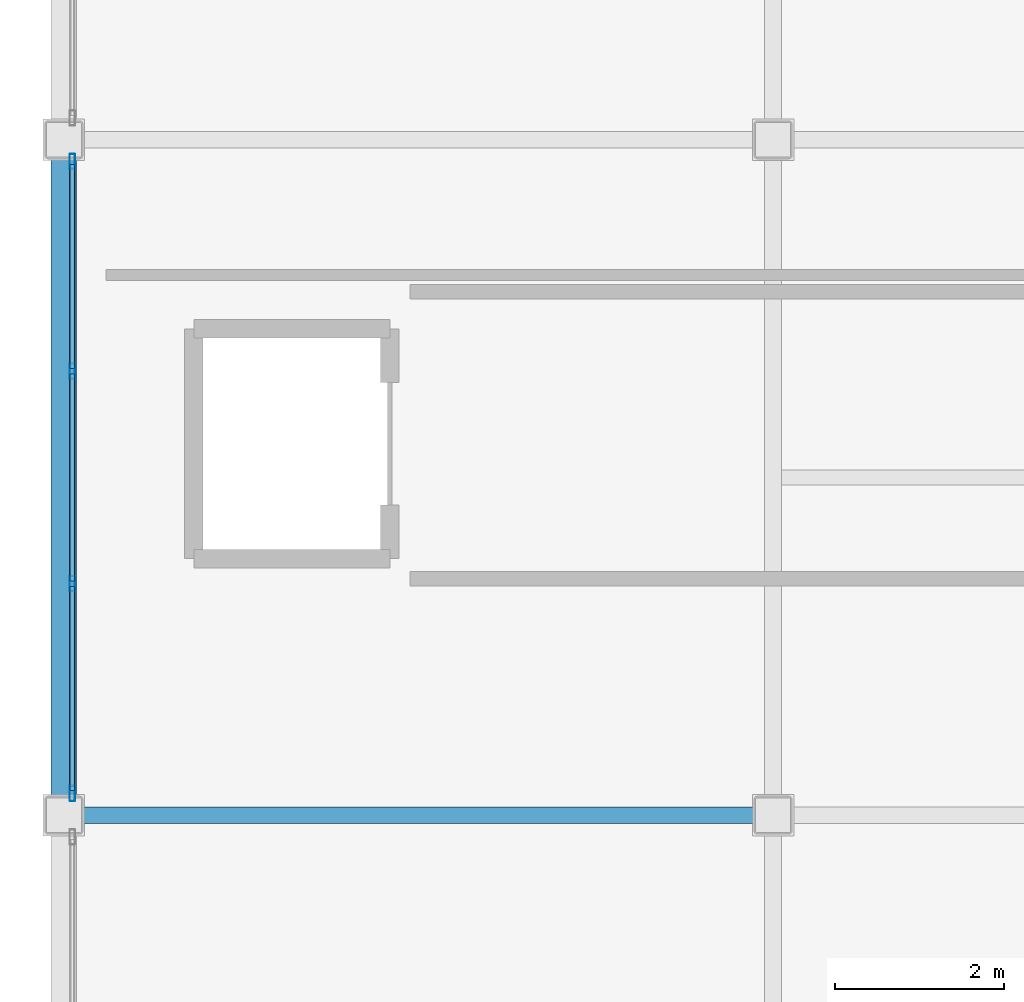
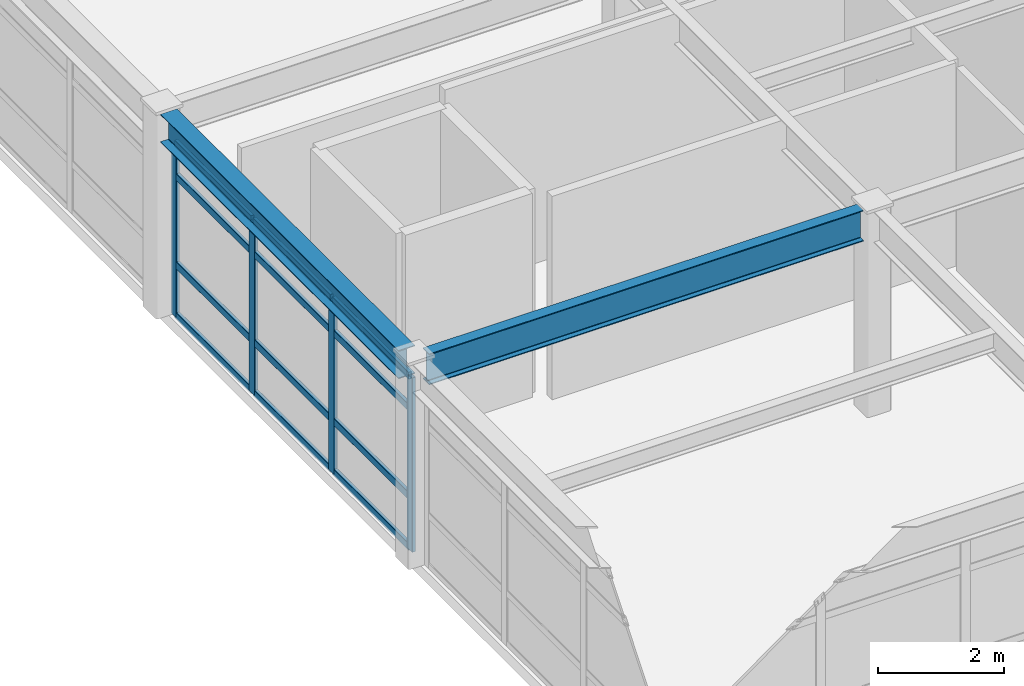
# One storey, part 5 of 34: 16 members, 2 beams, 1 element without a shape of its own.
"""IFC4 building model written with IfcOpenShell, lengths in metres."""

from ifc_helpers import new_model, si_unit, direction, frame, origin, origin_2d, place, context, subcontext, project, spatial, hollow_rectangle, i_section, extrude, material, layer, layer_set, material_profile, profile_set, type_object, element, aggregate, save


model = new_model("IFC4")

# Units and contexts
model_context = context("Model", 3, precision=1e-05, world=origin(), true_north=direction((0.0, 1.0)))
body_context = subcontext(model_context, "Body", "Model", "MODEL_VIEW")
ifc_project = project(units=[si_unit("LENGTHUNIT", "METRE"), si_unit("AREAUNIT", "SQUARE_METRE"), si_unit("VOLUMEUNIT", "CUBIC_METRE"), si_unit("PLANEANGLEUNIT", "RADIAN"), si_unit("MASSUNIT", "GRAM", prefix="KILO")], contexts=[model_context])

# Site, building, storey
site_placement = place(None, origin())
site = spatial("IfcSite", under=ifc_project, at=site_placement, CompositionType="ELEMENT")
building_placement = place(site_placement, origin())
building = spatial("IfcBuilding", under=site, at=building_placement, Name="Kazehara Bluff Congress Hotel", CompositionType="ELEMENT")
storey_placement = place(building_placement, frame((0.0, 0.0, 46.199951171875)))
storey = spatial("IfcBuildingStorey", under=building, at=storey_placement, Name="L11", CompositionType="ELEMENT", Elevation=46.199951171875)

# Curtain wall, members
ifc_material_1 = material(Name="Anodised aluminium", Category="aluminium")
ifc_layer = layer(ifc_material_1, 0.159912109375)
ifc_layer_set = layer_set([ifc_layer], Name="Anodised aluminium")
curtain_wall_type = type_object("IfcCurtainWallType", Name="TP-CW-212", PredefinedType="NOTDEFINED", material=ifc_layer_set)
curtain_wall_placement = place(storey_placement, origin())
curtain_wall = element("IfcCurtainWall", 1, at=curtain_wall_placement, inside=storey, type_object=curtain_wall_type, Name="L11 curtain wall CW-212 CW-ENC-V5-L11-14380-2800", PredefinedType="NOTDEFINED")
ifc_material_2 = material(Name="Anodised aluminium", Category="aluminium")
ifc_material_profile_1 = material_profile(ifc_material_2, hollow_rectangle(XDim=0.06494140625, YDim=0.179931640625, WallThickness=0.00390625, InnerFilletRadius=0.00390625, OuterFilletRadius=0.008056640625, at=origin_2d()))
ifc_profile_set_1 = profile_set([ifc_material_profile_1], Name="Anodised aluminium")
member_type_1 = type_object("IfcMemberType", Name="TP-CWM-02", PredefinedType="MULLION", material=ifc_profile_set_1)
member_1_placement = place(storey_placement, frame((143.800048828125, 24.257568359375, 0.0), z_axis=(0.0, 0.0, 1.0), x_axis=(-1.0, 0.0, 0.0)))
member_1 = element("IfcMember", 2, at=member_1_placement, type_object=member_type_1, Name="CW-212 mullion 1", PredefinedType="MULLION", context=body_context, shape_type="SweptSolid", body=[
    extrude(hollow_rectangle(XDim=0.06494140625, YDim=0.179931640625, WallThickness=0.00390625, InnerFilletRadius=0.00390625, OuterFilletRadius=0.008056640625, at=origin_2d()), origin(), (0.0, 0.0, 1.0), 3.375),
])
member_2_placement = place(storey_placement, frame((143.800048828125, 26.74169921875, 0.0), z_axis=(0.0, 0.0, 1.0), x_axis=(-1.0, 0.0, 0.0)))
member_2 = element("IfcMember", 3, at=member_2_placement, type_object=member_type_1, Name="CW-212 mullion 2", PredefinedType="MULLION", context=body_context, shape_type="SweptSolid", body=[
    extrude(hollow_rectangle(XDim=0.06494140625, YDim=0.179931640625, WallThickness=0.00390625, InnerFilletRadius=0.00390625, OuterFilletRadius=0.008056640625, at=origin_2d()), origin(), (0.0, 0.0, 1.0), 3.375),
])
member_3_placement = place(storey_placement, frame((143.800048828125, 29.25830078125, 0.0), z_axis=(0.0, 0.0, 1.0), x_axis=(-1.0, 0.0, 0.0)))
member_3 = element("IfcMember", 4, at=member_3_placement, type_object=member_type_1, Name="CW-212 mullion 3", PredefinedType="MULLION", context=body_context, shape_type="SweptSolid", body=[
    extrude(hollow_rectangle(XDim=0.06494140625, YDim=0.179931640625, WallThickness=0.00390625, InnerFilletRadius=0.00390625, OuterFilletRadius=0.008056640625, at=origin_2d()), origin(), (0.0, 0.0, 1.0), 3.375),
])
member_4_placement = place(storey_placement, frame((143.800048828125, 31.742431640625, 0.0), z_axis=(0.0, 0.0, 1.0), x_axis=(-1.0, 0.0, 0.0)))
member_4 = element("IfcMember", 5, at=member_4_placement, type_object=member_type_1, Name="CW-212 mullion 4", PredefinedType="MULLION", context=body_context, shape_type="SweptSolid", body=[
    extrude(hollow_rectangle(XDim=0.06494140625, YDim=0.179931640625, WallThickness=0.00390625, InnerFilletRadius=0.00390625, OuterFilletRadius=0.008056640625, at=origin_2d()), origin(), (0.0, 0.0, 1.0), 3.375),
])
ifc_material_3 = material(Name="Anodised aluminium", Category="aluminium")
ifc_material_profile_2 = material_profile(ifc_material_3, hollow_rectangle(XDim=0.06494140625, YDim=0.139892578125, WallThickness=0.00390625, InnerFilletRadius=0.00390625, OuterFilletRadius=0.008056640625, at=origin_2d()))
ifc_profile_set_2 = profile_set([ifc_material_profile_2], Name="Anodised aluminium")
member_type_2 = type_object("IfcMemberType", Name="TP-CWT-02", PredefinedType="USERDEFINED", material=ifc_profile_set_2)
member_5_placement = place(storey_placement, frame((143.800048828125, 24.2900390625, 0.032470703125), z_axis=(0.0, 1.0, 0.0), x_axis=(-1.0, 0.0, 0.0)))
member_5 = element("IfcMember", 6, at=member_5_placement, type_object=member_type_2, Name="CW-212 transom 1.1", ObjectType="TRANSOM", PredefinedType="USERDEFINED", context=body_context, shape_type="SweptSolid", body=[
    extrude(hollow_rectangle(XDim=0.06494140625, YDim=0.139892578125, WallThickness=0.00390625, InnerFilletRadius=0.00390625, OuterFilletRadius=0.008056640625, at=origin_2d()), origin(), (0.0, 0.0, 1.0), 2.419189453125),
])
member_6_placement = place(storey_placement, frame((143.800048828125, 24.2900390625, 1.01513671875), z_axis=(0.0, 1.0, 0.0), x_axis=(-1.0, 0.0, 0.0)))
member_6 = element("IfcMember", 7, at=member_6_placement, type_object=member_type_2, Name="CW-212 transom 1.2", ObjectType="TRANSOM", PredefinedType="USERDEFINED", context=body_context, shape_type="SweptSolid", body=[
    extrude(hollow_rectangle(XDim=0.06494140625, YDim=0.139892578125, WallThickness=0.00390625, InnerFilletRadius=0.00390625, OuterFilletRadius=0.008056640625, at=origin_2d()), origin(), (0.0, 0.0, 1.0), 2.419189453125),
])
member_7_placement = place(storey_placement, frame((143.800048828125, 24.2900390625, 2.72509765625), z_axis=(0.0, 1.0, 0.0), x_axis=(-1.0, 0.0, 0.0)))
member_7 = element("IfcMember", 8, at=member_7_placement, type_object=member_type_2, Name="CW-212 transom 1.3", ObjectType="TRANSOM", PredefinedType="USERDEFINED", context=body_context, shape_type="SweptSolid", body=[
    extrude(hollow_rectangle(XDim=0.06494140625, YDim=0.139892578125, WallThickness=0.00390625, InnerFilletRadius=0.00390625, OuterFilletRadius=0.008056640625, at=origin_2d()), origin(), (0.0, 0.0, 1.0), 2.419189453125),
])
member_8_placement = place(storey_placement, frame((143.800048828125, 24.2900390625, 3.342529296875), z_axis=(0.0, 1.0, 0.0), x_axis=(-1.0, 0.0, 0.0)))
member_8 = element("IfcMember", 9, at=member_8_placement, type_object=member_type_2, Name="CW-212 transom 1.4", ObjectType="TRANSOM", PredefinedType="USERDEFINED", context=body_context, shape_type="SweptSolid", body=[
    extrude(hollow_rectangle(XDim=0.06494140625, YDim=0.139892578125, WallThickness=0.00390625, InnerFilletRadius=0.00390625, OuterFilletRadius=0.008056640625, at=origin_2d()), origin(), (0.0, 0.0, 1.0), 2.419189453125),
])
member_9_placement = place(storey_placement, frame((143.800048828125, 26.774169921875, 0.032470703125), z_axis=(0.0, 1.0, 0.0), x_axis=(-1.0, 0.0, 0.0)))
member_9 = element("IfcMember", 10, at=member_9_placement, type_object=member_type_2, Name="CW-212 transom 2.1", ObjectType="TRANSOM", PredefinedType="USERDEFINED", context=body_context, shape_type="SweptSolid", body=[
    extrude(hollow_rectangle(XDim=0.06494140625, YDim=0.139892578125, WallThickness=0.00390625, InnerFilletRadius=0.00390625, OuterFilletRadius=0.008056640625, at=origin_2d()), origin(), (0.0, 0.0, 1.0), 2.45166015625),
])
member_10_placement = place(storey_placement, frame((143.800048828125, 26.774169921875, 1.01513671875), z_axis=(0.0, 1.0, 0.0), x_axis=(-1.0, 0.0, 0.0)))
member_10 = element("IfcMember", 11, at=member_10_placement, type_object=member_type_2, Name="CW-212 transom 2.2", ObjectType="TRANSOM", PredefinedType="USERDEFINED", context=body_context, shape_type="SweptSolid", body=[
    extrude(hollow_rectangle(XDim=0.06494140625, YDim=0.139892578125, WallThickness=0.00390625, InnerFilletRadius=0.00390625, OuterFilletRadius=0.008056640625, at=origin_2d()), origin(), (0.0, 0.0, 1.0), 2.45166015625),
])
member_11_placement = place(storey_placement, frame((143.800048828125, 26.774169921875, 2.72509765625), z_axis=(0.0, 1.0, 0.0), x_axis=(-1.0, 0.0, 0.0)))
member_11 = element("IfcMember", 12, at=member_11_placement, type_object=member_type_2, Name="CW-212 transom 2.3", ObjectType="TRANSOM", PredefinedType="USERDEFINED", context=body_context, shape_type="SweptSolid", body=[
    extrude(hollow_rectangle(XDim=0.06494140625, YDim=0.139892578125, WallThickness=0.00390625, InnerFilletRadius=0.00390625, OuterFilletRadius=0.008056640625, at=origin_2d()), origin(), (0.0, 0.0, 1.0), 2.45166015625),
])
member_12_placement = place(storey_placement, frame((143.800048828125, 26.774169921875, 3.342529296875), z_axis=(0.0, 1.0, 0.0), x_axis=(-1.0, 0.0, 0.0)))
member_12 = element("IfcMember", 13, at=member_12_placement, type_object=member_type_2, Name="CW-212 transom 2.4", ObjectType="TRANSOM", PredefinedType="USERDEFINED", context=body_context, shape_type="SweptSolid", body=[
    extrude(hollow_rectangle(XDim=0.06494140625, YDim=0.139892578125, WallThickness=0.00390625, InnerFilletRadius=0.00390625, OuterFilletRadius=0.008056640625, at=origin_2d()), origin(), (0.0, 0.0, 1.0), 2.45166015625),
])
member_13_placement = place(storey_placement, frame((143.800048828125, 29.290771484375, 0.032470703125), z_axis=(0.0, 1.0, 0.0), x_axis=(-1.0, 0.0, 0.0)))
member_13 = element("IfcMember", 14, at=member_13_placement, type_object=member_type_2, Name="CW-212 transom 3.1", ObjectType="TRANSOM", PredefinedType="USERDEFINED", context=body_context, shape_type="SweptSolid", body=[
    extrude(hollow_rectangle(XDim=0.06494140625, YDim=0.139892578125, WallThickness=0.00390625, InnerFilletRadius=0.00390625, OuterFilletRadius=0.008056640625, at=origin_2d()), origin(), (0.0, 0.0, 1.0), 2.419189453125),
])
member_14_placement = place(storey_placement, frame((143.800048828125, 29.290771484375, 1.01513671875), z_axis=(0.0, 1.0, 0.0), x_axis=(-1.0, 0.0, 0.0)))
member_14 = element("IfcMember", 15, at=member_14_placement, type_object=member_type_2, Name="CW-212 transom 3.2", ObjectType="TRANSOM", PredefinedType="USERDEFINED", context=body_context, shape_type="SweptSolid", body=[
    extrude(hollow_rectangle(XDim=0.06494140625, YDim=0.139892578125, WallThickness=0.00390625, InnerFilletRadius=0.00390625, OuterFilletRadius=0.008056640625, at=origin_2d()), origin(), (0.0, 0.0, 1.0), 2.419189453125),
])
member_15_placement = place(storey_placement, frame((143.800048828125, 29.290771484375, 2.72509765625), z_axis=(0.0, 1.0, 0.0), x_axis=(-1.0, 0.0, 0.0)))
member_15 = element("IfcMember", 16, at=member_15_placement, type_object=member_type_2, Name="CW-212 transom 3.3", ObjectType="TRANSOM", PredefinedType="USERDEFINED", context=body_context, shape_type="SweptSolid", body=[
    extrude(hollow_rectangle(XDim=0.06494140625, YDim=0.139892578125, WallThickness=0.00390625, InnerFilletRadius=0.00390625, OuterFilletRadius=0.008056640625, at=origin_2d()), origin(), (0.0, 0.0, 1.0), 2.419189453125),
])
member_16_placement = place(storey_placement, frame((143.800048828125, 29.290771484375, 3.342529296875), z_axis=(0.0, 1.0, 0.0), x_axis=(-1.0, 0.0, 0.0)))
member_16 = element("IfcMember", 17, at=member_16_placement, type_object=member_type_2, Name="CW-212 transom 3.4", ObjectType="TRANSOM", PredefinedType="USERDEFINED", context=body_context, shape_type="SweptSolid", body=[
    extrude(hollow_rectangle(XDim=0.06494140625, YDim=0.139892578125, WallThickness=0.00390625, InnerFilletRadius=0.00390625, OuterFilletRadius=0.008056640625, at=origin_2d()), origin(), (0.0, 0.0, 1.0), 2.419189453125),
])
aggregate(curtain_wall, [member_1, member_2, member_3, member_4, member_5, member_6, member_7, member_8, member_9, member_10, member_11, member_12, member_13, member_14, member_15, member_16])

# Beams
ifc_material_4 = material(Name="Steel SN490B", Category="steel")
ifc_material_profile_3 = material_profile(ifc_material_4, i_section(OverallWidth=0.199951171875, OverallDepth=0.60009765625, WebThickness=0.010986328125, FlangeThickness=0.01708984375, FilletRadius=0.012939453125, at=origin_2d()))
ifc_profile_set_3 = profile_set([ifc_material_profile_3], Name="Steel SN490B")
beam_type_1 = type_object("IfcBeamType", Name="TP-G-02", PredefinedType="BEAM", material=ifc_profile_set_3)
beam_1_placement = place(storey_placement, frame((143.925048828125, 24.0, 3.650146484375), z_axis=(1.0, 0.0, 0.0), x_axis=(0.0, 1.0, 0.0)))
element("IfcBeam", 18, at=beam_1_placement, inside=storey, type_object=beam_type_1, Name="L11 girder G-02 28", PredefinedType="BEAM", context=body_context, shape_type="SweptSolid", body=[
    extrude(i_section(OverallWidth=0.199951171875, OverallDepth=0.60009765625, WebThickness=0.010986328125, FlangeThickness=0.01708984375, FilletRadius=0.012939453125, at=origin_2d()), origin(), (0.0, 0.0, 1.0), 7.949951171875),
])
ifc_material_5 = material(Name="Steel SN490B", Category="steel")
ifc_material_profile_4 = material_profile(ifc_material_5, i_section(OverallWidth=0.300048828125, OverallDepth=0.550048828125, WebThickness=0.010986328125, FlangeThickness=0.01806640625, FilletRadius=0.012939453125, at=origin_2d()))
ifc_profile_set_4 = profile_set([ifc_material_profile_4], Name="Steel SN490B")
beam_type_2 = type_object("IfcBeamType", Name="TP-SP-01", PredefinedType="SPANDREL", material=ifc_profile_set_4)
beam_2_placement = place(storey_placement, frame((143.699951171875, 24.22509765625, 3.675048828125), z_axis=(0.0, 1.0, 0.0), x_axis=(-1.0, 0.0, 0.0)))
element("IfcBeam", 19, at=beam_2_placement, inside=storey, type_object=beam_type_2, Name="L11 girder SP-01 2", PredefinedType="SPANDREL", context=body_context, shape_type="SweptSolid", body=[
    extrude(i_section(OverallWidth=0.300048828125, OverallDepth=0.550048828125, WebThickness=0.010986328125, FlangeThickness=0.01806640625, FilletRadius=0.012939453125, at=origin_2d()), origin(), (0.0, 0.0, 1.0), 7.5498046875),
])

save(model, "model.ifc")
